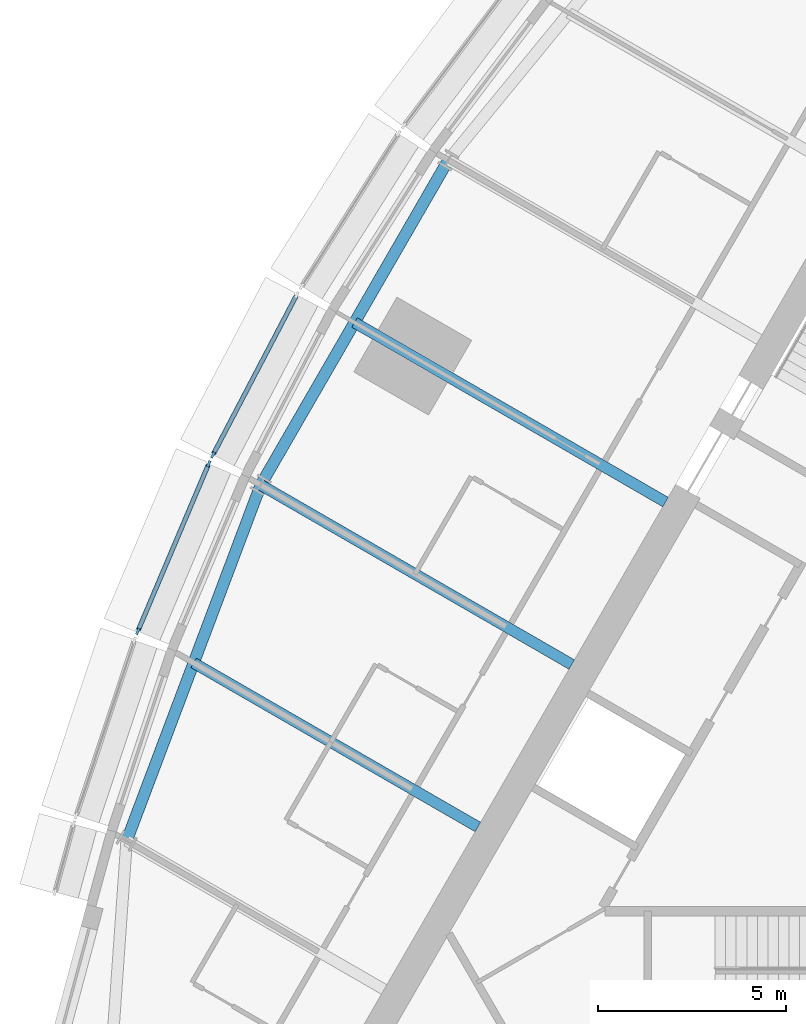
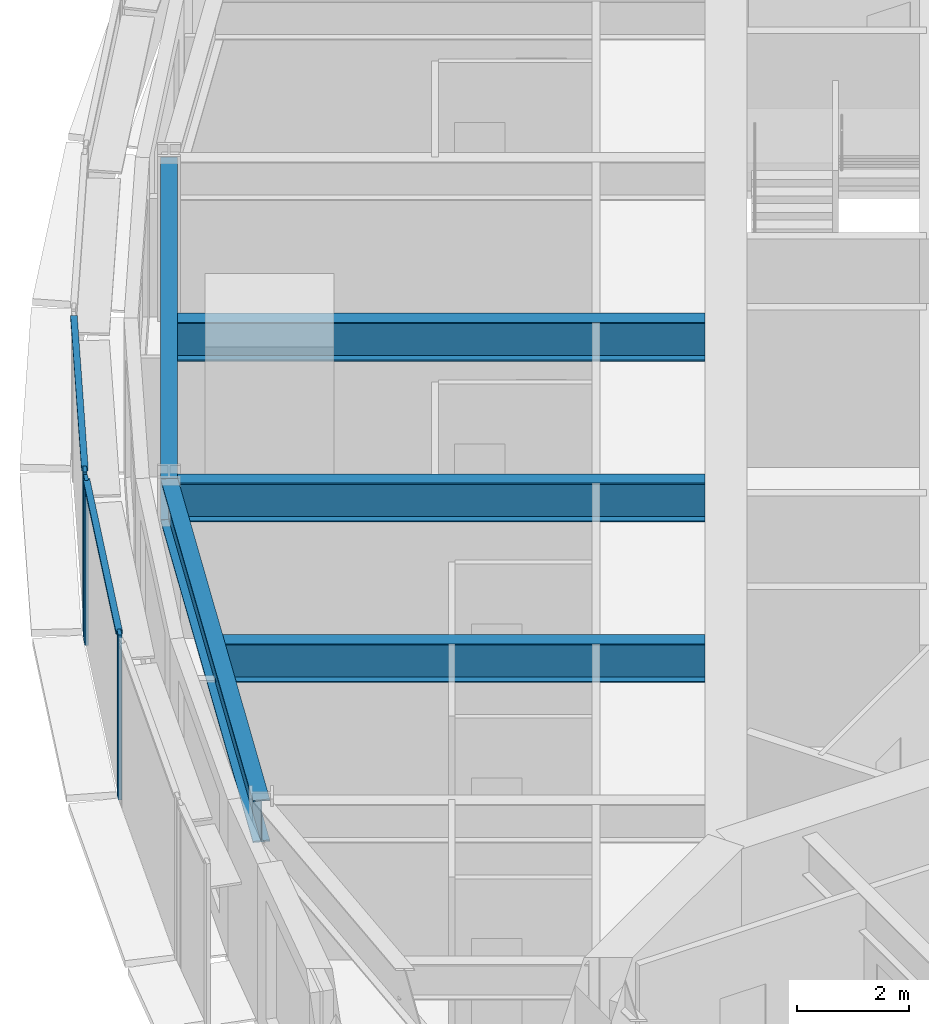
# One storey, part 3 of 15: 5 beams, 5 members, 2 elements without a shape of their own.
"""IFC4 building model written with IfcOpenShell, lengths in metres."""

from ifc_helpers import new_model, si_unit, direction, frame, origin, origin_2d, place, context, subcontext, project, spatial, rectangle, i_section, extrude, material, material_profile, profile_set, type_object, element, aggregate, save


model = new_model("IFC4")

# Units and contexts
model_context = context("Model", 3, precision=1e-05, world=origin(), true_north=direction((0.0, 1.0)))
body_context = subcontext(model_context, "Body", "Model", "MODEL_VIEW")
ifc_project = project(units=[si_unit("LENGTHUNIT", "METRE"), si_unit("AREAUNIT", "SQUARE_METRE"), si_unit("VOLUMEUNIT", "CUBIC_METRE"), si_unit("PLANEANGLEUNIT", "RADIAN"), si_unit("MASSUNIT", "GRAM", prefix="KILO")], contexts=[model_context])

# Site, building, storey
site_placement = place(None, origin())
site = spatial("IfcSite", under=ifc_project, at=site_placement, CompositionType="ELEMENT")
building_placement = place(site_placement, origin())
building = spatial("IfcBuilding", under=site, at=building_placement, Name="Trikona Tower", CompositionType="ELEMENT")
storey_placement = place(building_placement, frame((0.0, 0.0, 211.699951171875)))
storey = spatial("IfcBuildingStorey", under=building, at=storey_placement, Name="L56", CompositionType="ELEMENT", Elevation=211.699951171875)

# Curtain wall, member
ifc_material_1 = material(Name="Aluminium curtain wall system", Category="aluminium")
curtain_wall_type = type_object("IfcCurtainWallType", Name="Curtain wall DS3", PredefinedType="NOTDEFINED", material=ifc_material_1)
curtain_wall_1_placement = place(storey_placement, origin())
curtain_wall_1 = element("IfcCurtainWall", 1, at=curtain_wall_1_placement, inside=storey, type_object=curtain_wall_type, Name="Curtain wall DS3 L56", PredefinedType="NOTDEFINED")
ifc_material_2 = material(Name="Aluminium mullion, pale anodised", Category="aluminium")
ifc_material_profile_1 = material_profile(ifc_material_2, rectangle(XDim=0.070068359375, YDim=0.179931640625, at=origin_2d()), Name="MUL-DS3")
ifc_profile_set_1 = profile_set([ifc_material_profile_1], Name="Aluminium mullion, pale anodised")
member_type_1 = type_object("IfcMemberType", Name="Mullion DS3 70x180", PredefinedType="MULLION", material=ifc_profile_set_1)
member_1_placement = place(storey_placement, frame((-20.635986328125, 6.20751953125, 0.0), z_axis=(0.0, 0.0, 1.0), x_axis=(0.885862390527, -0.463948084434, 0.0)))
member_1 = element("IfcMember", 2, at=member_1_placement, type_object=member_type_1, Name="CW-DS3 mullion 2", PredefinedType="MULLION", context=body_context, shape_type="SweptSolid", body=[
    extrude(rectangle(XDim=0.070068359375, YDim=0.179931640625, at=origin_2d()), origin(), (0.0, 0.0, 1.0), 3.60009765625),
])

# Curtain wall, members
curtain_wall_2_placement = place(storey_placement, origin())
curtain_wall_2 = element("IfcCurtainWall", 3, at=curtain_wall_2_placement, inside=storey, type_object=curtain_wall_type, Name="Curtain wall DS3 L56", PredefinedType="NOTDEFINED")
member_2_placement = place(storey_placement, frame((-20.74853515625, 5.969482421875, 0.0), z_axis=(0.0, 0.0, 1.0), x_axis=(0.920792322808, -0.390053199266, 0.0)))
member_2 = element("IfcMember", 4, at=member_2_placement, type_object=member_type_1, Name="CW-DS3 mullion 1", PredefinedType="MULLION", context=body_context, shape_type="SweptSolid", body=[
    extrude(rectangle(XDim=0.070068359375, YDim=0.179931640625, at=origin_2d()), origin(), (0.0, 0.0, 1.0), 3.60009765625),
])
member_3_placement = place(storey_placement, frame((-22.6396484375, 1.50537109375, 0.0), z_axis=(0.0, 0.0, 1.0), x_axis=(0.920792322808, -0.390053199266, 0.0)))
member_3 = element("IfcMember", 5, at=member_3_placement, type_object=member_type_1, Name="CW-DS3 mullion 2", PredefinedType="MULLION", context=body_context, shape_type="SweptSolid", body=[
    extrude(rectangle(XDim=0.070068359375, YDim=0.179931640625, at=origin_2d()), origin(), (0.0, 0.0, 1.0), 3.60009765625),
])

# Beams
ifc_material_3 = material(Name="Steel ASTM A992 Grade 50", Category="steel")
ifc_material_profile_2 = material_profile(ifc_material_3, i_section(OverallWidth=0.2919921875, OverallDepth=0.845703125, WebThickness=0.015380859375, FlangeThickness=0.0244140625, at=origin_2d()), Name="W33X141")
ifc_profile_set_2 = profile_set([ifc_material_profile_2], Name="Steel ASTM A992 Grade 50")
beam_type_1 = type_object("IfcBeamType", Name="Steel beam W33x141 (radial typ)", PredefinedType="BEAM", material=ifc_profile_set_2)
for number, where, z_axis, x_axis, name in (
    (6, (-8.57470703125, 4.95068359375, 3.01220703125), (-0.866025863714, 0.499999203377, 0.0), (-0.499999203377, -0.866025863714, 0.0), "Floor beam L57 F3 u0"),
    (7, (-11.07470703125, 0.62060546875, 3.01220703125), (-0.866025863714, 0.499999203377, 0.0), (-0.499999203377, -0.866025863714, 0.0), "Floor beam L57 F3 u5"),
):
    element("IfcBeam", number, at=place(storey_placement, frame(where, z_axis=z_axis, x_axis=x_axis)), inside=storey, type_object=beam_type_1, Name=name, PredefinedType="BEAM", context=body_context, shape_type="SweptSolid", body=[
        extrude(i_section(OverallWidth=0.2919921875, OverallDepth=0.845703125, WebThickness=0.015380859375, FlangeThickness=0.0244140625, at=origin_2d()), origin(), (0.0, 0.0, 1.0), 9.57080078125),
    ])
beam_1_placement = place(storey_placement, frame((-13.57470703125, -3.709716796875, 3.01220703125), z_axis=(-0.866013609749, 0.500020427312, 0.0), x_axis=(-0.500020427312, -0.866013609749, 0.0)))
element("IfcBeam", 8, at=beam_1_placement, inside=storey, type_object=beam_type_1, Name="Floor beam L57 F3 u10", PredefinedType="BEAM", context=body_context, shape_type="SweptSolid", body=[
    extrude(i_section(OverallWidth=0.2919921875, OverallDepth=0.845703125, WebThickness=0.015380859375, FlangeThickness=0.0244140625, at=origin_2d()), origin(), (0.0, 0.0, 1.0), 8.747314453125),
])
ifc_material_4 = material(Name="Steel ASTM A992 Grade 50", Category="steel")
ifc_material_profile_3 = material_profile(ifc_material_4, i_section(OverallWidth=0.307373046875, OverallDepth=0.922119140625, WebThickness=0.018310546875, FlangeThickness=0.030029296875, at=origin_2d()), Name="W36X182")
ifc_profile_set_3 = profile_set([ifc_material_profile_3], Name="Steel ASTM A992 Grade 50")
beam_type_2 = type_object("IfcBeamType", Name="Steel beam W36x182 (spandrel mid)", PredefinedType="SPANDREL", material=ifc_profile_set_3)
beam_2_placement = place(storey_placement, frame((-14.36328125, 14.066162109375, 2.97412109375), z_axis=(-0.500004234368, -0.866022959057, 0.0), x_axis=(0.866022959057, -0.500004234368, 0.0)))
element("IfcBeam", 9, at=beam_2_placement, inside=storey, type_object=beam_type_2, Name="Spandrel beam L57 F3-3", PredefinedType="SPANDREL", context=body_context, shape_type="SweptSolid", body=[
    extrude(i_section(OverallWidth=0.307373046875, OverallDepth=0.922119140625, WebThickness=0.018310546875, FlangeThickness=0.030029296875, at=origin_2d()), origin(), (0.0, 0.0, 1.0), 10.0),
])
beam_3_placement = place(storey_placement, frame((-19.36328125, 5.406005859375, 2.97412109375), z_axis=(-0.352596088442, -0.935775613283, 0.0), x_axis=(0.935775613283, -0.352596088442, 0.0)))
element("IfcBeam", 10, at=beam_3_placement, inside=storey, type_object=beam_type_2, Name="Spandrel beam L57 F3-4", PredefinedType="SPANDREL", context=body_context, shape_type="SweptSolid", body=[
    extrude(i_section(OverallWidth=0.307373046875, OverallDepth=0.922119140625, WebThickness=0.018310546875, FlangeThickness=0.030029296875, at=origin_2d()), origin(), (0.0, 0.0, 1.0), 10.134765625),
])

# Member
ifc_material_5 = material(Name="Aluminium transom, pale anodised", Category="aluminium")
ifc_material_profile_4 = material_profile(ifc_material_5, rectangle(XDim=0.1201171875, YDim=0.070068359375, at=origin_2d()), Name="TRN-DS3")
ifc_profile_set_4 = profile_set([ifc_material_profile_4], Name="Aluminium transom, pale anodised")
member_type_2 = type_object("IfcMemberType", Name="Transom DS3 70x120", PredefinedType="USERDEFINED", material=ifc_profile_set_4)
member_4_placement = place(storey_placement, frame((-18.418701171875, 10.44140625, 3.56494140625), z_axis=(-0.463910848027, -0.885881891158, 0.0), x_axis=(0.885881891158, -0.463910848027, 0.0)))
member_4 = element("IfcMember", 11, at=member_4_placement, type_object=member_type_2, Name="CW-DS3 transom 1.1", ObjectType="TRANSOM", PredefinedType="USERDEFINED", context=body_context, shape_type="SweptSolid", body=[
    extrude(rectangle(XDim=0.1201171875, YDim=0.070068359375, at=origin_2d()), origin(), (0.0, 0.0, 1.0), 4.744384765625),
])

aggregate(curtain_wall_1, [member_1, member_4])

member_5_placement = place(storey_placement, frame((-20.76220703125, 5.937255859375, 3.56494140625), z_axis=(-0.390061662668, -0.920788737614, 0.0), x_axis=(0.920788737614, -0.390061662668, 0.0)))
member_5 = element("IfcMember", 12, at=member_5_placement, type_object=member_type_2, Name="CW-DS3 transom 1.1", ObjectType="TRANSOM", PredefinedType="USERDEFINED", context=body_context, shape_type="SweptSolid", body=[
    extrude(rectangle(XDim=0.1201171875, YDim=0.070068359375, at=origin_2d()), origin(), (0.0, 0.0, 1.0), 4.778076171875),
])

aggregate(curtain_wall_2, [member_2, member_3, member_5])

save(model, "model.ifc")
